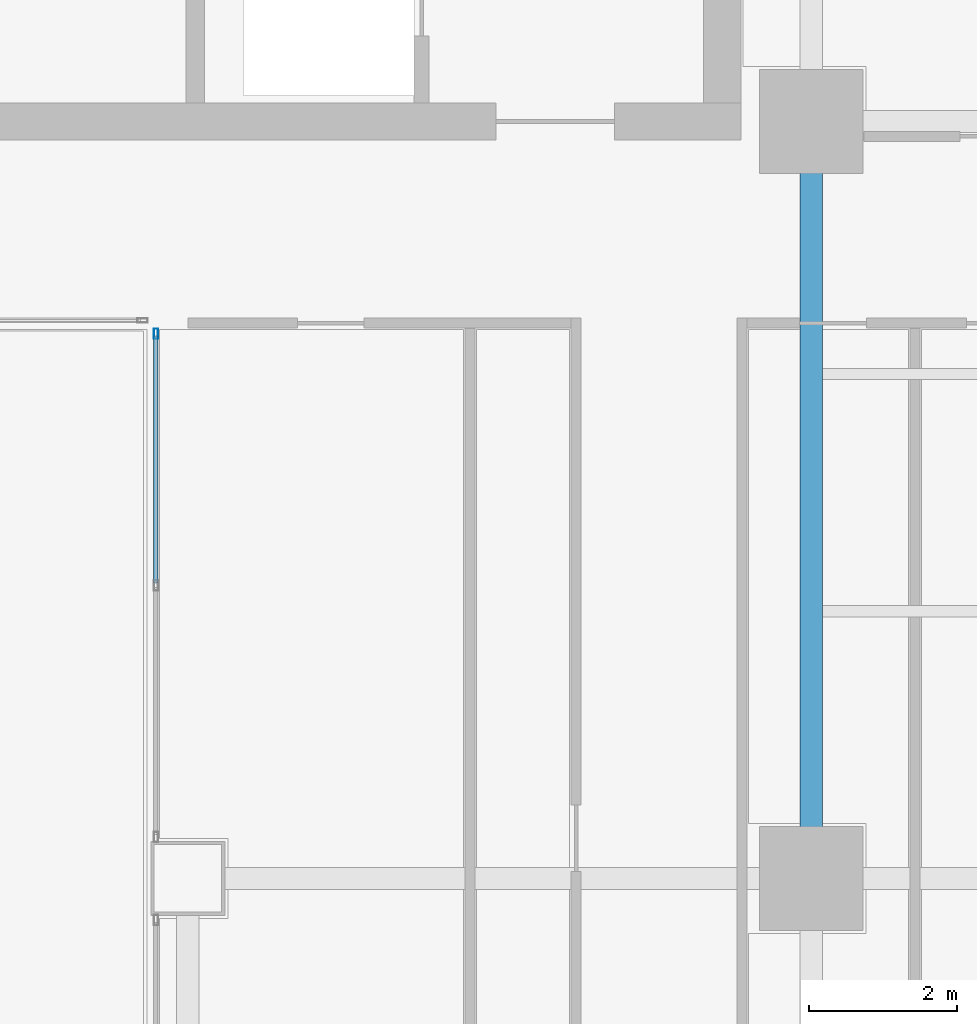
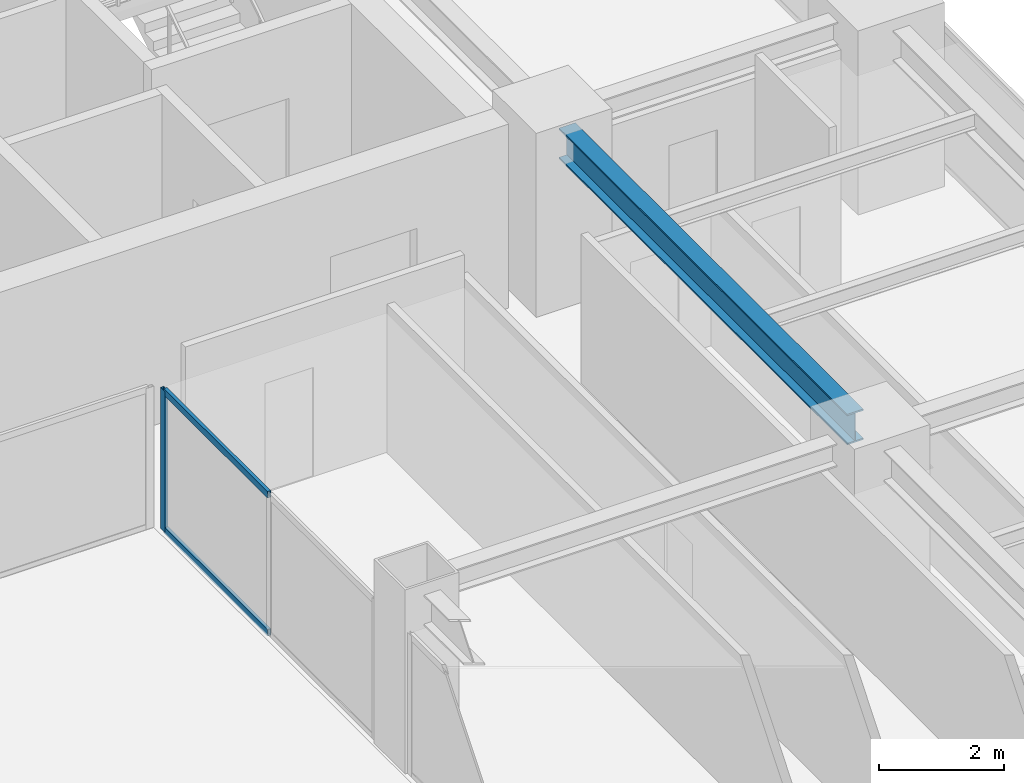
# One storey, part 16 of 30: 3 members, 1 beam, 1 element without a shape of its own.
"""IFC4 building model written with IfcOpenShell, lengths in metres."""

from ifc_helpers import new_model, si_unit, direction, frame, origin, origin_2d, place, context, subcontext, project, spatial, hollow_rectangle, i_section, extrude, source, transform, mapped, material, layer, layer_set, material_profile, profile_set, type_object, element, aggregate, save


model = new_model("IFC4")

# Units and contexts
model_context = context("Model", 3, precision=1e-05, world=origin(), true_north=direction((0.0, 1.0)))
body_context = subcontext(model_context, "Body", "Model", "MODEL_VIEW")
ifc_project = project(units=[si_unit("LENGTHUNIT", "METRE"), si_unit("AREAUNIT", "SQUARE_METRE"), si_unit("VOLUMEUNIT", "CUBIC_METRE"), si_unit("PLANEANGLEUNIT", "RADIAN"), si_unit("MASSUNIT", "GRAM", prefix="KILO")], contexts=[model_context])

# Site, building, storey
site_placement = place(None, origin())
site = spatial("IfcSite", under=ifc_project, at=site_placement, CompositionType="ELEMENT")
building_placement = place(site_placement, origin())
building = spatial("IfcBuilding", under=site, at=building_placement, Name="Sumidabori Civic Tower", CompositionType="ELEMENT")
storey_placement = place(building_placement, frame((0.0, 0.0, 196.39990234375)))
storey = spatial("IfcBuildingStorey", under=building, at=storey_placement, Name="L50", CompositionType="ELEMENT", Elevation=196.39990234375)

# Beam
ifc_material_1 = material(Name="Steel SN490", Category="steel")
ifc_material_profile_1 = material_profile(ifc_material_1, i_section(OverallWidth=0.300048828125, OverallDepth=0.60009765625, WebThickness=0.015380859375, FlangeThickness=0.030029296875, at=origin_2d()), Name="HE 600 B")
ifc_profile_set_1 = profile_set([ifc_material_profile_1], Name="Steel SN490")
beam_type = type_object("IfcBeamType", Name="BM-GIRD-600", PredefinedType="BEAM", material=ifc_profile_set_1)
shared_shape_1 = source(origin(), body_context, "Body", "SweptSolid", [
    extrude(i_section(OverallWidth=0.300048828125, OverallDepth=0.60009765625, WebThickness=0.015380859375, FlangeThickness=0.030029296875, at=origin_2d()), origin(), (0.0, 0.0, 1.0), 9.239990234375),
])
beam_placement = place(storey_placement, frame((16.800048828125, 0.47998046875, 3.080078125), z_axis=(0.0, 1.0, 0.0), x_axis=(-1.0, 0.0, 0.0)))
element("IfcBeam", 1, at=beam_placement, inside=storey, type_object=beam_type, Name="Primary Girder L50 GY-20", PredefinedType="BEAM", context=body_context, shape_type="MappedRepresentation", body=[
    mapped(shared_shape_1, transform((0.0, 0.0, 0.0), x_axis=(1.0, 0.0, 0.0), y_axis=(0.0, 1.0, 0.0), z_axis=(0.0, 0.0, 1.0), scale=1.0)),
])

# Curtain wall, members
ifc_material_2 = material(Name="Anodised Bronze Aluminium AW-6063-T6", Category="aluminium")
ifc_layer = layer(ifc_material_2, 0.179931640625, Name="Anodised Bronze Aluminium AW-6063-T6")
ifc_layer_set = layer_set([ifc_layer], Name="Anodised Bronze Aluminium AW-6063-T6")
curtain_wall_type = type_object("IfcCurtainWallType", Name="CW-SYS-4", PredefinedType="NOTDEFINED", material=ifc_layer_set)
curtain_wall_placement = place(storey_placement, origin())
curtain_wall = element("IfcCurtainWall", 2, at=curtain_wall_placement, inside=storey, type_object=curtain_wall_type, Name="Curtain Wall CW:L50:R06", PredefinedType="NOTDEFINED")
ifc_material_profile_2 = material_profile(ifc_material_2, hollow_rectangle(XDim=0.06005859375, YDim=0.139892578125, WallThickness=0.0048828125, at=origin_2d()), Name="ALU MULLION 140x60")
ifc_profile_set_2 = profile_set([ifc_material_profile_2], Name="Anodised Bronze Aluminium AW-6063-T6")
member_type_1 = type_object("IfcMemberType", Name="CW-MUL-140", PredefinedType="MULLION", material=ifc_profile_set_2)
shared_shape_2 = source(origin(), body_context, "Body", "SweptSolid", [
    extrude(hollow_rectangle(XDim=0.06005859375, YDim=0.139892578125, WallThickness=0.0048828125, at=origin_2d()), origin(), (0.0, 0.0, 1.0), 2.760009765625),
])
member_1_placement = place(storey_placement, frame((7.969970703125, 7.340087890625, 0.0), z_axis=(0.0, 0.0, 1.0), x_axis=(1.0, 0.0, 0.0)))
member_1 = element("IfcMember", 3, at=member_1_placement, type_object=member_type_1, Name="CW-4 mullion 1", PredefinedType="MULLION", context=body_context, shape_type="MappedRepresentation", body=[
    mapped(shared_shape_2, transform((0.0, 0.0, 0.0), x_axis=(1.0, 0.0, 0.0), y_axis=(0.0, 1.0, 0.0), z_axis=(0.0, 0.0, 1.0), scale=1.0)),
])
ifc_material_profile_3 = material_profile(ifc_material_2, hollow_rectangle(XDim=0.06005859375, YDim=0.1298828125, WallThickness=0.0048828125, at=origin_2d()), Name="ALU TRANSOM 130x60")
ifc_profile_set_3 = profile_set([ifc_material_profile_3], Name="Anodised Bronze Aluminium AW-6063-T6")
member_type_2 = type_object("IfcMemberType", Name="CW-TRN-130", PredefinedType="USERDEFINED", material=ifc_profile_set_3)
shared_shape_3 = source(origin(), body_context, "Body", "SweptSolid", [
    extrude(hollow_rectangle(XDim=0.06005859375, YDim=0.1298828125, WallThickness=0.0048828125, at=origin_2d()), origin(), (0.0, 0.0, 1.0), 3.330078125),
])
member_2_placement = place(storey_placement, frame((7.969970703125, 7.31005859375, 0.030029296875), z_axis=(0.0, -1.0, 0.0), x_axis=(1.0, 0.0, 0.0)))
member_2 = element("IfcMember", 4, at=member_2_placement, type_object=member_type_2, Name="CW-4 transom 1.1", ObjectType="TRANSOM", PredefinedType="USERDEFINED", context=body_context, shape_type="MappedRepresentation", body=[
    mapped(shared_shape_3, transform((0.0, 0.0, 0.0), x_axis=(1.0, 0.0, 0.0), y_axis=(0.0, 1.0, 0.0), z_axis=(0.0, 0.0, 1.0), scale=1.0)),
])
member_3_placement = place(storey_placement, frame((7.969970703125, 7.31005859375, 2.72998046875), z_axis=(0.0, -1.0, 0.0), x_axis=(1.0, 0.0, 0.0)))
member_3 = element("IfcMember", 5, at=member_3_placement, type_object=member_type_2, Name="CW-4 transom 1.2", ObjectType="TRANSOM", PredefinedType="USERDEFINED", context=body_context, shape_type="MappedRepresentation", body=[
    mapped(shared_shape_3, transform((0.0, 0.0, 0.0), x_axis=(1.0, 0.0, 0.0), y_axis=(0.0, 1.0, 0.0), z_axis=(0.0, 0.0, 1.0), scale=1.0)),
])
aggregate(curtain_wall, [member_1, member_2, member_3])

save(model, "model.ifc")
